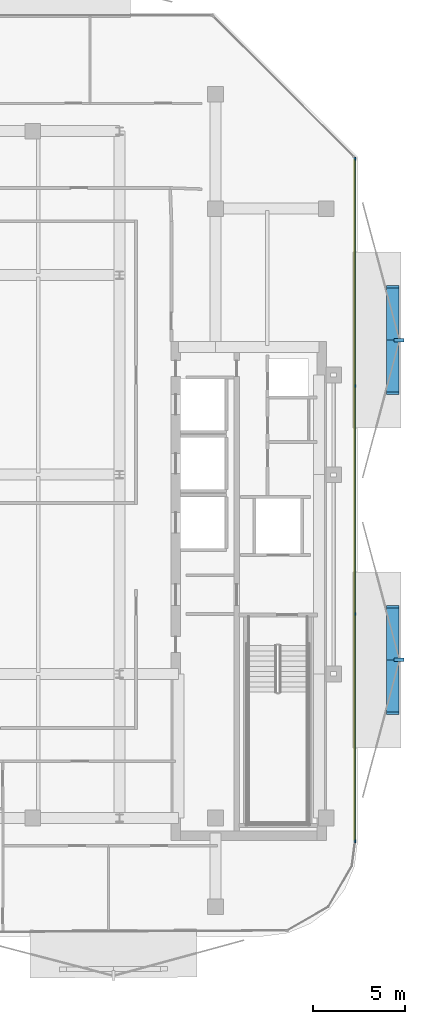
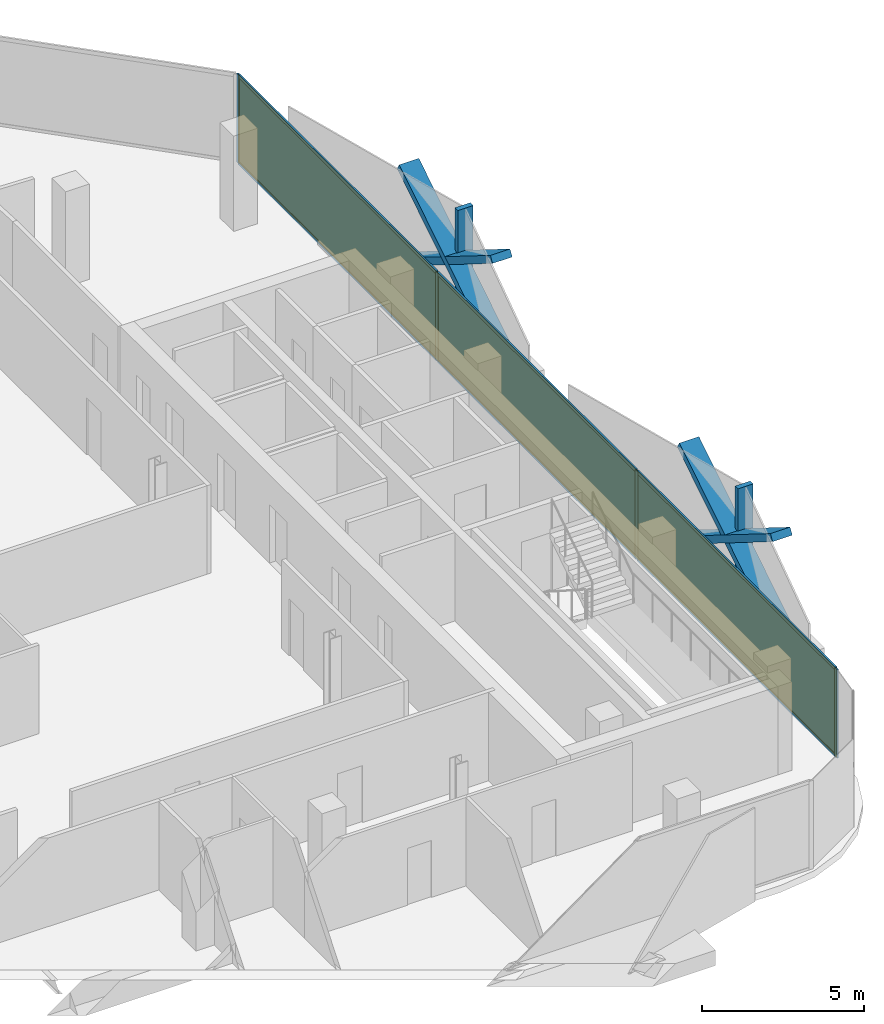
# One storey, part 10 of 16: 16 members, 3 plates, 1 curtain wall.
"""IFC4 building model written with IfcOpenShell, lengths in metres."""

from ifc_helpers import new_model, si_unit, direction, frame, frame_2d, origin, origin_2d, place, context, subcontext, project, spatial, rectangle, extrude, material, layer, layer_set, material_profile, profile_set, type_object, element, aggregate, save


model = new_model("IFC4")

# Units and contexts
model_context = context("Model", 3, precision=1e-05, world=origin(), true_north=direction((0.0, 1.0)))
body_context = subcontext(model_context, "Body", "Model", "MODEL_VIEW")
ifc_project = project(units=[si_unit("LENGTHUNIT", "METRE"), si_unit("AREAUNIT", "SQUARE_METRE"), si_unit("VOLUMEUNIT", "CUBIC_METRE"), si_unit("PLANEANGLEUNIT", "RADIAN"), si_unit("MASSUNIT", "GRAM", prefix="KILO")], contexts=[model_context])

# Member
ifc_material_1 = material(Name="Anodised Bronze Aluminium 6063-T6", Category="aluminium")
ifc_material_profile_1 = material_profile(ifc_material_1, rectangle(XDim=0.260009765625, YDim=0.699951171875, at=origin_2d()))
ifc_profile_set_1 = profile_set([ifc_material_profile_1], Name="Anodised Bronze Aluminium 6063-T6")
member_type_1 = type_object("IfcMemberType", Name="Bronze Diamond Solar-Screen Lattice Rib BDL-700", PredefinedType="MULLION", material=ifc_profile_set_1)
site_placement = place(None, origin())
building_placement = place(site_placement, origin())
storey_placement = place(building_placement, frame((0.0, 0.0, 258.39990234375)))
member_1_placement = place(storey_placement, frame((24.0, 10.169921875, -0.1298828125), z_axis=(0.0, -0.848495923689, 0.529201915608), x_axis=(0.0, -0.529201915608, -0.848495923689)))
member_1 = element("IfcMember", 1, at=member_1_placement, type_object=member_type_1, Name="L61 Bronze Diamond Solar Screen Lattice Rib 423A", PredefinedType="MULLION", context=body_context, shape_type="SweptSolid", body=[
    extrude(rectangle(XDim=0.260009765625, YDim=0.699951171875, at=origin_2d()), origin(), (0.0, 0.0, 1.0), 6.802978515625),
])

member_2_placement = place(storey_placement, frame((24.0, 4.397705078125, -0.1298828125), z_axis=(0.0, 0.848495923689, 0.529201915608), x_axis=(0.0, 0.529201915608, -0.848495923689)))
member_2 = element("IfcMember", 2, at=member_2_placement, type_object=member_type_1, Name="L61 Bronze Diamond Solar Screen Lattice Rib 423B", PredefinedType="MULLION", context=body_context, shape_type="SweptSolid", body=[
    extrude(rectangle(XDim=0.260009765625, YDim=0.699951171875, at=origin_2d()), origin(), (0.0, 0.0, 1.0), 6.802978515625),
])

member_3_placement = place(storey_placement, frame((24.0, -7.146484375, -0.1298828125), z_axis=(0.0, -0.848495923689, 0.529201915608), x_axis=(0.0, -0.529201915608, -0.848495923689)))
member_3 = element("IfcMember", 3, at=member_3_placement, type_object=member_type_1, Name="L61 Bronze Diamond Solar Screen Lattice Rib 424A", PredefinedType="MULLION", context=body_context, shape_type="SweptSolid", body=[
    extrude(rectangle(XDim=0.260009765625, YDim=0.699951171875, at=origin_2d()), origin(), (0.0, 0.0, 1.0), 6.802978515625),
])

member_4_placement = place(storey_placement, frame((24.0, -12.918701171875, -0.1298828125), z_axis=(0.0, 0.848495923689, 0.529201915608), x_axis=(0.0, 0.529201915608, -0.848495923689)))
member_4 = element("IfcMember", 4, at=member_4_placement, type_object=member_type_1, Name="L61 Bronze Diamond Solar Screen Lattice Rib 424B", PredefinedType="MULLION", context=body_context, shape_type="SweptSolid", body=[
    extrude(rectangle(XDim=0.260009765625, YDim=0.699951171875, at=origin_2d()), origin(), (0.0, 0.0, 1.0), 6.802978515625),
])

ifc_material_2 = material(Name="Anodised Bronze Aluminium 6063-T6", Category="aluminium")
ifc_material_profile_2 = material_profile(ifc_material_2, rectangle(XDim=0.179931640625, YDim=0.5400390625, at=origin_2d()))
ifc_profile_set_2 = profile_set([ifc_material_profile_2], Name="Anodised Bronze Aluminium 6063-T6")
member_type_2 = type_object("IfcMemberType", Name="Bronze Solar-Screen Vertical Fold Fin BSF-540", PredefinedType="MULLION", material=ifc_profile_set_2)
member_5_placement = place(storey_placement, frame((24.340087890625, 7.28369140625, -0.1298828125), z_axis=(0.0, 0.0, 1.0), x_axis=(0.0, -1.0, 0.0)))
member_5 = element("IfcMember", 5, at=member_5_placement, type_object=member_type_2, Name="L61 Bronze Solar Screen Vertical Fin 423", PredefinedType="MULLION", context=body_context, shape_type="SweptSolid", body=[
    extrude(rectangle(XDim=0.179931640625, YDim=0.5400390625, at=origin_2d()), origin(), (0.0, 0.0, 1.0), 3.60009765625),
])

member_6_placement = place(storey_placement, frame((24.340087890625, -10.03271484375, -0.1298828125), z_axis=(0.0, 0.0, 1.0), x_axis=(0.0, -1.0, 0.0)))
member_6 = element("IfcMember", 6, at=member_6_placement, type_object=member_type_2, Name="L61 Bronze Solar Screen Vertical Fin 424", PredefinedType="MULLION", context=body_context, shape_type="SweptSolid", body=[
    extrude(rectangle(XDim=0.179931640625, YDim=0.5400390625, at=origin_2d()), origin(), (0.0, 0.0, 1.0), 3.60009765625),
])

ifc_material_3 = material(Name="Anodised Bronze Aluminium 6063-T6", Category="aluminium")
ifc_material_profile_3 = material_profile(ifc_material_3, rectangle(XDim=0.06005859375, YDim=0.159912109375, at=origin_2d()))
ifc_profile_set_3 = profile_set([ifc_material_profile_3], Name="Anodised Bronze Aluminium 6063-T6")
member_type_3 = type_object("IfcMemberType", Name="CW-Z4 Mullion 60x160", PredefinedType="MULLION", material=ifc_profile_set_3)
member_7_placement = place(storey_placement, frame((21.9599609375, 17.112060546875, 0.0), z_axis=(0.0, 0.0, 1.0), x_axis=(1.0, 0.0, 0.0)))
member_7 = element("IfcMember", 7, at=member_7_placement, type_object=member_type_3, Name="CW-Z4 mullion 1", PredefinedType="MULLION", context=body_context, shape_type="SweptSolid", body=[
    extrude(rectangle(XDim=0.06005859375, YDim=0.159912109375, at=origin_2d()), origin(), (0.0, 0.0, 1.0), 3.340087890625),
])

member_8_placement = place(storey_placement, frame((21.9599609375, 4.7978515625, 0.0), z_axis=(0.0, 0.0, 1.0), x_axis=(1.0, 0.0, 0.0)))
member_8 = element("IfcMember", 8, at=member_8_placement, type_object=member_type_3, Name="CW-Z4 mullion 2", PredefinedType="MULLION", context=body_context, shape_type="SweptSolid", body=[
    extrude(rectangle(XDim=0.06005859375, YDim=0.159912109375, at=origin_2d()), origin(), (0.0, 0.0, 1.0), 3.340087890625),
])

member_9_placement = place(storey_placement, frame((21.9599609375, -7.546630859375, 0.0), z_axis=(0.0, 0.0, 1.0), x_axis=(1.0, 0.0, 0.0)))
member_9 = element("IfcMember", 9, at=member_9_placement, type_object=member_type_3, Name="CW-Z4 mullion 3", PredefinedType="MULLION", context=body_context, shape_type="SweptSolid", body=[
    extrude(rectangle(XDim=0.06005859375, YDim=0.159912109375, at=origin_2d()), origin(), (0.0, 0.0, 1.0), 3.340087890625),
])

member_10_placement = place(storey_placement, frame((21.9599609375, -19.86083984375, 0.0), z_axis=(0.0, 0.0, 1.0), x_axis=(1.0, 0.0, 0.0)))
member_10 = element("IfcMember", 10, at=member_10_placement, type_object=member_type_3, Name="CW-Z4 mullion 4", PredefinedType="MULLION", context=body_context, shape_type="SweptSolid", body=[
    extrude(rectangle(XDim=0.06005859375, YDim=0.159912109375, at=origin_2d()), origin(), (0.0, 0.0, 1.0), 3.340087890625),
])

ifc_material_4 = material(Name="Anodised Bronze Aluminium 6063-T6", Category="aluminium")
ifc_material_profile_4 = material_profile(ifc_material_4, rectangle(XDim=0.06005859375, YDim=0.125, at=origin_2d()))
ifc_profile_set_4 = profile_set([ifc_material_profile_4], Name="Anodised Bronze Aluminium 6063-T6")
member_type_4 = type_object("IfcMemberType", Name="CW-Z4 Transom 60x125", PredefinedType="USERDEFINED", material=ifc_profile_set_4)
member_11_placement = place(storey_placement, frame((21.9599609375, 17.08203125, 0.030029296875), z_axis=(0.0, -1.0, 0.0), x_axis=(1.0, 0.0, 0.0)))
member_11 = element("IfcMember", 11, at=member_11_placement, type_object=member_type_4, Name="CW-Z4 transom 1.1", ObjectType="TRANSOM", PredefinedType="USERDEFINED", context=body_context, shape_type="SweptSolid", body=[
    extrude(rectangle(XDim=0.06005859375, YDim=0.125, at=origin_2d()), origin(), (0.0, 0.0, 1.0), 12.25439453125),
])

member_12_placement = place(storey_placement, frame((21.9599609375, 17.08203125, 3.31005859375), z_axis=(0.0, -1.0, 0.0), x_axis=(1.0, 0.0, 0.0)))
member_12 = element("IfcMember", 12, at=member_12_placement, type_object=member_type_4, Name="CW-Z4 transom 1.2", ObjectType="TRANSOM", PredefinedType="USERDEFINED", context=body_context, shape_type="SweptSolid", body=[
    extrude(rectangle(XDim=0.06005859375, YDim=0.125, at=origin_2d()), origin(), (0.0, 0.0, 1.0), 12.25439453125),
])

member_13_placement = place(storey_placement, frame((21.9599609375, 4.767822265625, 0.030029296875), z_axis=(0.0, -1.0, 0.0), x_axis=(1.0, 0.0, 0.0)))
member_13 = element("IfcMember", 13, at=member_13_placement, type_object=member_type_4, Name="CW-Z4 transom 2.1", ObjectType="TRANSOM", PredefinedType="USERDEFINED", context=body_context, shape_type="SweptSolid", body=[
    extrude(rectangle(XDim=0.06005859375, YDim=0.125, at=origin_2d()), origin(), (0.0, 0.0, 1.0), 12.284423828125),
])

member_14_placement = place(storey_placement, frame((21.9599609375, 4.767822265625, 3.31005859375), z_axis=(0.0, -1.0, 0.0), x_axis=(1.0, 0.0, 0.0)))
member_14 = element("IfcMember", 14, at=member_14_placement, type_object=member_type_4, Name="CW-Z4 transom 2.2", ObjectType="TRANSOM", PredefinedType="USERDEFINED", context=body_context, shape_type="SweptSolid", body=[
    extrude(rectangle(XDim=0.06005859375, YDim=0.125, at=origin_2d()), origin(), (0.0, 0.0, 1.0), 12.284423828125),
])

member_15_placement = place(storey_placement, frame((21.9599609375, -7.576416015625, 0.030029296875), z_axis=(0.0, -1.0, 0.0), x_axis=(1.0, 0.0, 0.0)))
member_15 = element("IfcMember", 15, at=member_15_placement, type_object=member_type_4, Name="CW-Z4 transom 3.1", ObjectType="TRANSOM", PredefinedType="USERDEFINED", context=body_context, shape_type="SweptSolid", body=[
    extrude(rectangle(XDim=0.06005859375, YDim=0.125, at=origin_2d()), origin(), (0.0, 0.0, 1.0), 12.25439453125),
])

member_16_placement = place(storey_placement, frame((21.9599609375, -7.576416015625, 3.31005859375), z_axis=(0.0, -1.0, 0.0), x_axis=(1.0, 0.0, 0.0)))
member_16 = element("IfcMember", 16, at=member_16_placement, type_object=member_type_4, Name="CW-Z4 transom 3.2", ObjectType="TRANSOM", PredefinedType="USERDEFINED", context=body_context, shape_type="SweptSolid", body=[
    extrude(rectangle(XDim=0.06005859375, YDim=0.125, at=origin_2d()), origin(), (0.0, 0.0, 1.0), 12.25439453125),
])

# Plate
ifc_material_5 = material(Name="Low-E Solar Control Laminated Glass", Category="glass")
ifc_layer_1 = layer(ifc_material_5, 0.030029296875, Name="Low-E Solar Control Laminated Glass")
ifc_layer_set_1 = layer_set([ifc_layer_1], Name="Low-E Solar Control Laminated Glass")
plate_type = type_object("IfcPlateType", Name="CW-Z4 Low-E Double Glazed Panel 30mm", PredefinedType="CURTAIN_PANEL", material=ifc_layer_set_1)
plate_1_placement = place(storey_placement, frame((21.9599609375, 10.954833984375, 0.06005859375), z_axis=(0.0, 0.0, 1.0), x_axis=(0.0, -1.0, 0.0)))
plate_1 = element("IfcPlate", 17, at=plate_1_placement, type_object=plate_type, Name="CW-Z4 panel 1.1", PredefinedType="CURTAIN_PANEL", context=body_context, shape_type="SweptSolid", body=[
    extrude(rectangle(XDim=12.254150390625, YDim=0.030029296875, at=origin_2d()), origin(), (0.0, 0.0, 1.0), 3.219970703125),
])

plate_2_placement = place(storey_placement, frame((21.9599609375, -1.37451171875, 0.06005859375), z_axis=(0.0, 0.0, 1.0), x_axis=(0.0, -1.0, 0.0)))
plate_2 = element("IfcPlate", 18, at=plate_2_placement, type_object=plate_type, Name="CW-Z4 panel 2.1", PredefinedType="CURTAIN_PANEL", context=body_context, shape_type="SweptSolid", body=[
    extrude(rectangle(XDim=12.2841796875, YDim=0.030029296875, at=origin_2d()), origin(), (0.0, 0.0, 1.0), 3.219970703125),
])

plate_3_placement = place(storey_placement, frame((21.9599609375, -13.70361328125, 0.06005859375), z_axis=(0.0, 0.0, 1.0), x_axis=(0.0, -1.0, 0.0)))
plate_3 = element("IfcPlate", 19, at=plate_3_placement, type_object=plate_type, Name="CW-Z4 panel 3.1", PredefinedType="CURTAIN_PANEL", context=body_context, shape_type="SweptSolid", body=[
    extrude(rectangle(XDim=12.254150390625, YDim=0.030029296875, at=origin_2d()), origin(), (0.0, 0.0, 1.0), 3.219970703125),
])

# Site, building, storey
site = spatial("IfcSite", under=ifc_project, at=site_placement, CompositionType="ELEMENT")
building = spatial("IfcBuilding", under=site, at=building_placement, Name="Khairoan Windgate Tower", CompositionType="ELEMENT")
storey = spatial("IfcBuildingStorey", under=building, at=storey_placement, Name="L61", CompositionType="ELEMENT", Elevation=258.39990234375)

# Curtain wall
ifc_material_6 = material(Name="Anodised Bronze Aluminium 6063-T6", Category="aluminium")
ifc_layer_2 = layer(ifc_material_6, 0.159912109375, Name="Anodised Bronze Aluminium 6063-T6")
ifc_layer_set_2 = layer_set([ifc_layer_2], Name="Anodised Bronze Aluminium 6063-T6")
curtain_wall_type = type_object("IfcCurtainWallType", Name="Sky Residence Unitised Curtain Wall CW-Z4", PredefinedType="NOTDEFINED", material=ifc_layer_set_2)
curtain_wall_placement = place(storey_placement, frame((21.9599609375, 17.14208984375, 0.0), z_axis=(0.0, 0.0, 1.0), x_axis=(0.0, -1.0, 0.0)))
curtain_wall = element("IfcCurtainWall", 20, at=curtain_wall_placement, inside=storey, type_object=curtain_wall_type, Name="L61 Unitised Curtain Wall 11", PredefinedType="NOTDEFINED", context=body_context, shape_type="SweptSolid", body=[
    extrude(rectangle(XDim=37.032958984375, YDim=0.010009765625, at=frame_2d((18.5166015625, 0.0))), origin(), (0.0, 0.0, 1.0), 3.340087890625),
])

aggregate(curtain_wall, [member_7, member_8, member_9, member_10, member_11, member_12, plate_1, member_13, member_14, plate_2, member_15, member_16, plate_3, member_1, member_2, member_5, member_3, member_4, member_6])

save(model, "model.ifc")
